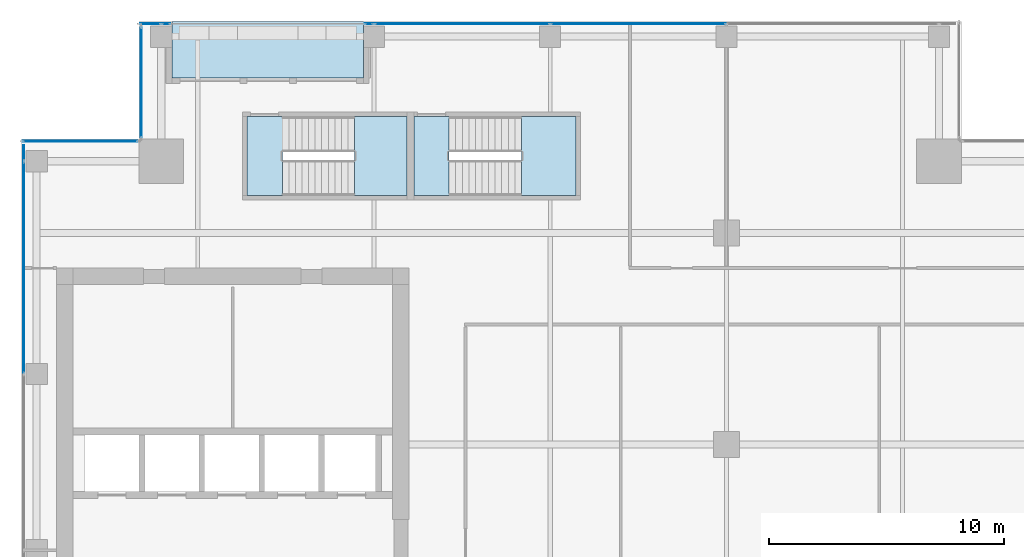
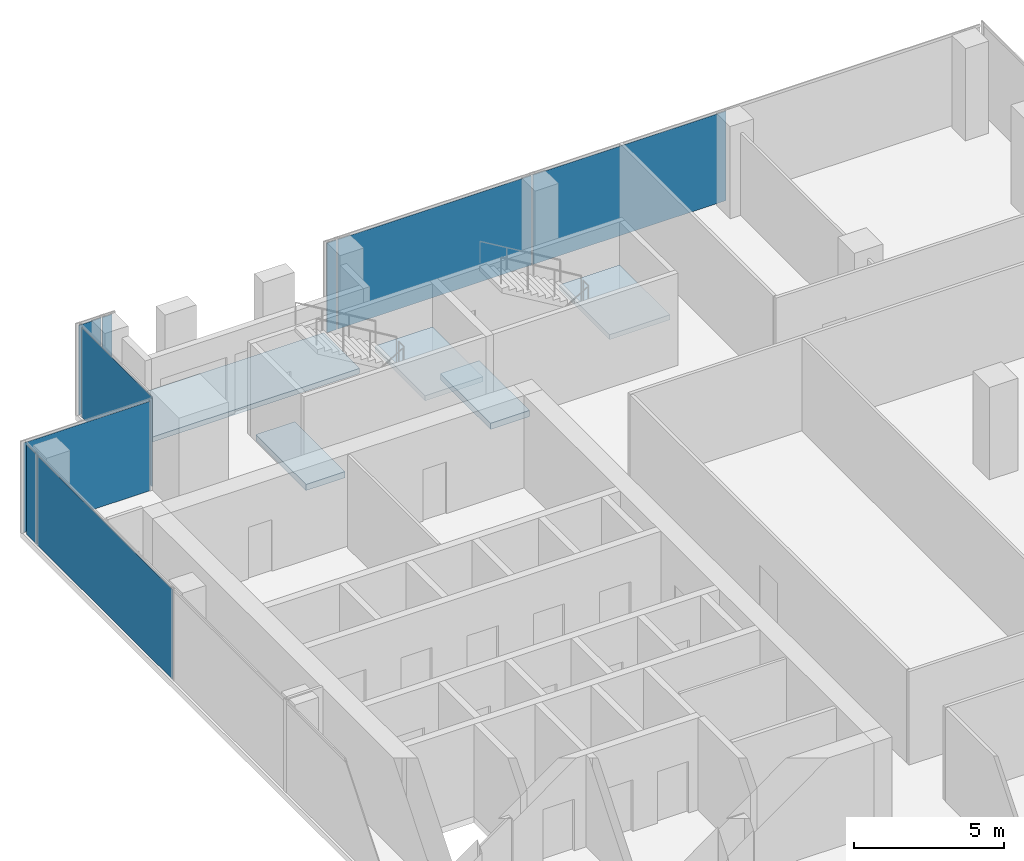
# One storey, part 29 of 36: 9 plates, 5 slabs, 7 elements without a shape of their own.
"""IFC4 building model written with IfcOpenShell, lengths in metres."""

from ifc_helpers import new_model, si_unit, direction, frame, origin, origin_2d, place, context, subcontext, project, spatial, polyline, rectangle, outline, extrude, source, transform, mapped, material, layer, layer_set, type_object, element, aggregate, save


model = new_model("IFC4")

# Units and contexts
model_context = context("Model", 3, precision=1e-05, world=origin(), true_north=direction((0.0, 1.0)))
body_context = subcontext(model_context, "Body", "Model", "MODEL_VIEW")
ifc_project = project(units=[si_unit("LENGTHUNIT", "METRE"), si_unit("AREAUNIT", "SQUARE_METRE"), si_unit("VOLUMEUNIT", "CUBIC_METRE"), si_unit("PLANEANGLEUNIT", "RADIAN"), si_unit("MASSUNIT", "GRAM", prefix="KILO")], contexts=[model_context])

# Site, building, storey
site_placement = place(None, origin())
site = spatial("IfcSite", under=ifc_project, at=site_placement, CompositionType="ELEMENT")
building_placement = place(site_placement, origin())
building = spatial("IfcBuilding", under=site, at=building_placement, Name="Khomas Fold Tower", CompositionType="ELEMENT")
storey_placement = place(building_placement, frame((0.0, 0.0, 230.199951171875)))
storey = spatial("IfcBuildingStorey", under=building, at=storey_placement, Name="L51", CompositionType="ELEMENT", Elevation=230.199951171875)

# Curtain wall, plate
ifc_material_1 = material(Name="Aluminium framed double glazing", Category="aluminium")
curtain_wall_type = type_object("IfcCurtainWallType", Name="SK-Unitised clear-glass wall, office floors CW2", PredefinedType="NOTDEFINED", material=ifc_material_1)
curtain_wall_1_placement = place(storey_placement, origin())
curtain_wall_1 = element("IfcCurtainWall", 1, at=curtain_wall_1_placement, inside=storey, type_object=curtain_wall_type, Name="CW2 run L51 09-0", PredefinedType="NOTDEFINED")
ifc_material_2 = material(Name="Clear double glazed unit")
ifc_layer_1 = layer(ifc_material_2, 0.030029296875)
ifc_layer_set_1 = layer_set([ifc_layer_1], Name="Clear double glazed unit")
plate_type = type_object("IfcPlateType", Name="SK-Unitised clear-glass wall, office floors glass panel CW2-P", PredefinedType="CURTAIN_PANEL", material=ifc_layer_set_1)
shared_shape_1 = source(origin(), body_context, "Body", "SweptSolid", [
    extrude(rectangle(XDim=0.659912109375, YDim=0.030029296875, at=origin_2d()), origin(), (0.0, 0.0, 1.0), 3.639892578125),
])
plate_1_placement = place(storey_placement, frame((4.60009765625, 43.909912109375, 0.0), z_axis=(0.0, 0.0, 1.0), x_axis=(0.0, -1.0, 0.0)))
plate_1 = element("IfcPlate", 2, at=plate_1_placement, type_object=plate_type, Name="CW2 glass panel 1", PredefinedType="CURTAIN_PANEL", context=body_context, shape_type="MappedRepresentation", body=[
    mapped(shared_shape_1, transform((0.0, 0.0, 0.0))),
])

# Curtain wall, plates
curtain_wall_2_placement = place(storey_placement, origin())
curtain_wall_2 = element("IfcCurtainWall", 3, at=curtain_wall_2_placement, inside=storey, type_object=curtain_wall_type, Name="CW2 run L51 06-0", PredefinedType="NOTDEFINED")
shared_shape_2 = source(origin(), body_context, "Body", "SweptSolid", [
    extrude(rectangle(XDim=7.43994140625, YDim=0.030029296875, at=origin_2d()), origin(), (0.0, 0.0, 1.0), 3.639892578125),
])
plate_2_placement = place(storey_placement, frame((30.75, 49.39990234375, 0.0), z_axis=(0.0, 0.0, 1.0), x_axis=(-1.0, 0.0, 0.0)))
plate_2 = element("IfcPlate", 4, at=plate_2_placement, type_object=plate_type, Name="CW2 glass panel 3", PredefinedType="CURTAIN_PANEL", context=body_context, shape_type="MappedRepresentation", body=[
    mapped(shared_shape_2, transform((0.0, 0.0, 0.0))),
])
plate_3_placement = place(storey_placement, frame((23.25, 49.39990234375, 0.0), z_axis=(0.0, 0.0, 1.0), x_axis=(-1.0, 0.0, 0.0)))
plate_3 = element("IfcPlate", 5, at=plate_3_placement, type_object=plate_type, Name="CW2 glass panel 4", PredefinedType="CURTAIN_PANEL", context=body_context, shape_type="MappedRepresentation", body=[
    mapped(shared_shape_2, transform((0.0, 0.0, 0.0))),
])

# Curtain wall, plate
curtain_wall_3_placement = place(storey_placement, origin())
curtain_wall_3 = element("IfcCurtainWall", 6, at=curtain_wall_3_placement, inside=storey, type_object=curtain_wall_type, Name="CW2 run L51 06-1", PredefinedType="NOTDEFINED")
shared_shape_3 = source(origin(), body_context, "Body", "SweptSolid", [
    extrude(rectangle(XDim=0.860107421875, YDim=0.030029296875, at=origin_2d()), origin(), (0.0, 0.0, 1.0), 3.639892578125),
])
plate_4_placement = place(storey_placement, frame((9.989990234375, 49.39990234375, 0.0), z_axis=(0.0, 0.0, 1.0), x_axis=(-1.0, 0.0, 0.0)))
plate_4 = element("IfcPlate", 7, at=plate_4_placement, type_object=plate_type, Name="CW2 glass panel 2", PredefinedType="CURTAIN_PANEL", context=body_context, shape_type="MappedRepresentation", body=[
    mapped(shared_shape_3, transform((0.0, 0.0, 0.0))),
])

# Plate
shared_shape_4 = source(origin(), body_context, "Body", "SweptSolid", [
    extrude(rectangle(XDim=8.989990234375, YDim=0.030029296875, at=origin_2d()), origin(), (0.0, 0.0, 1.0), 3.639892578125),
])
plate_5_placement = place(storey_placement, frame((4.60009765625, 39.02490234375, 0.0), z_axis=(0.0, 0.0, 1.0), x_axis=(0.0, -1.0, 0.0)))
plate_5 = element("IfcPlate", 8, at=plate_5_placement, type_object=plate_type, Name="CW2 glass panel 2", PredefinedType="CURTAIN_PANEL", context=body_context, shape_type="MappedRepresentation", body=[
    mapped(shared_shape_4, transform((0.0, 0.0, 0.0))),
])

aggregate(curtain_wall_1, [plate_1, plate_5])

# Curtain wall, plate
curtain_wall_4_placement = place(storey_placement, origin())
curtain_wall_4 = element("IfcCurtainWall", 9, at=curtain_wall_4_placement, inside=storey, type_object=curtain_wall_type, Name="CW2 corner return L51 07", PredefinedType="NOTDEFINED")
shared_shape_5 = source(origin(), body_context, "Body", "SweptSolid", [
    extrude(rectangle(XDim=4.679931640625, YDim=0.030029296875, at=origin_2d()), origin(), (0.0, 0.0, 1.0), 3.639892578125),
])
plate_6_placement = place(storey_placement, frame((9.60009765625, 46.89990234375, 0.0), z_axis=(0.0, 0.0, 1.0), x_axis=(0.0, -1.0, 0.0)))
plate_6 = element("IfcPlate", 10, at=plate_6_placement, type_object=plate_type, Name="CW2 glass panel 1", PredefinedType="CURTAIN_PANEL", context=body_context, shape_type="MappedRepresentation", body=[
    mapped(shared_shape_5, transform((0.0, 0.0, 0.0))),
])
aggregate(curtain_wall_4, [plate_6])

curtain_wall_5_placement = place(storey_placement, origin())
curtain_wall_5 = element("IfcCurtainWall", 11, at=curtain_wall_5_placement, inside=storey, type_object=curtain_wall_type, Name="CW2 corner return L51 08", PredefinedType="NOTDEFINED")
shared_shape_6 = source(origin(), body_context, "Body", "SweptSolid", [
    extrude(rectangle(XDim=4.8798828125, YDim=0.030029296875, at=origin_2d()), origin(), (0.0, 0.0, 1.0), 3.639892578125),
])
plate_7_placement = place(storey_placement, frame((7.0, 44.39990234375, 0.0), z_axis=(0.0, 0.0, 1.0), x_axis=(-1.0, 0.0, 0.0)))
plate_7 = element("IfcPlate", 12, at=plate_7_placement, type_object=plate_type, Name="CW2 glass panel 1", PredefinedType="CURTAIN_PANEL", context=body_context, shape_type="MappedRepresentation", body=[
    mapped(shared_shape_6, transform((0.0, 0.0, 0.0))),
])
aggregate(curtain_wall_5, [plate_7])

# Plate
shared_shape_7 = source(origin(), body_context, "Body", "SweptSolid", [
    extrude(rectangle(XDim=0.360107421875, YDim=0.030029296875, at=origin_2d()), origin(), (0.0, 0.0, 1.0), 3.639892578125),
])
plate_8_placement = place(storey_placement, frame((19.2900390625, 49.39990234375, 0.0), z_axis=(0.0, 0.0, 1.0), x_axis=(-1.0, 0.0, 0.0)))
plate_8 = element("IfcPlate", 13, at=plate_8_placement, type_object=plate_type, Name="CW2 glass panel 5", PredefinedType="CURTAIN_PANEL", context=body_context, shape_type="MappedRepresentation", body=[
    mapped(shared_shape_7, transform((0.0, 0.0, 0.0))),
])

aggregate(curtain_wall_2, [plate_2, plate_3, plate_8])

plate_9_placement = place(storey_placement, frame((10.659912109375, 49.39990234375, 0.0), z_axis=(0.0, 0.0, 1.0), x_axis=(-1.0, 0.0, 0.0)))
plate_9 = element("IfcPlate", 14, at=plate_9_placement, type_object=plate_type, Name="CW2 glass panel 1", PredefinedType="CURTAIN_PANEL", context=body_context, shape_type="MappedRepresentation", body=[
    mapped(shared_shape_7, transform((0.0, 0.0, 0.0))),
])

aggregate(curtain_wall_3, [plate_9, plate_4])

# Slab
ifc_material_3 = material(Name="Concrete C40/50", Category="concrete")
ifc_layer_2 = layer(ifc_material_3, 0.205078125)
ifc_layer_set_2 = layer_set([ifc_layer_2], Name="Concrete C40/50")
slab_type_1 = type_object("IfcSlabType", Name="BL-Balcony deck 205", PredefinedType="FLOOR", material=ifc_layer_set_2)
shared_shape_8 = source(origin(), body_context, "Body", "SweptSolid", [
    extrude(outline(polyline([(10.89990234375, 47.10009765625), (19.050048828125, 47.10009765625), (19.050048828125, 49.5), (10.89990234375, 49.5), (10.89990234375, 47.10009765625)])), origin(), (0.0, 0.0, 1.0), 0.205078125),
])
slab_1_placement = place(storey_placement, frame((0.0, 0.0, -0.25)))
element("IfcSlab", 15, at=slab_1_placement, inside=storey, type_object=slab_type_1, Name="Balcony deck BAL-L51-N1", PredefinedType="FLOOR", context=body_context, shape_type="MappedRepresentation", body=[
    mapped(shared_shape_8, transform((0.0, 0.0, 0.0))),
])

# Stair, slab
ifc_material_4 = material(Name="Concrete C40/50", Category="concrete")
stair_type_1 = type_object("IfcStairType", Name="Stair ST1", PredefinedType="HALF_TURN_STAIR", material=ifc_material_4)
stair_1_placement = place(storey_placement, origin())
stair_1 = element("IfcStair", 16, at=stair_1_placement, inside=storey, type_object=stair_type_1, Name="L51 ST1", PredefinedType="HALF_TURN_STAIR")
ifc_material_5 = material(Name="Concrete C40/50", Category="concrete")
ifc_layer_3 = layer(ifc_material_5, 0.199951171875)
ifc_layer_set_3 = layer_set([ifc_layer_3], Name="Concrete C40/50")
slab_type_2 = type_object("IfcSlabType", Name="Stair landing 200", PredefinedType="LANDING", material=ifc_layer_set_3)
shared_shape_9 = source(origin(), body_context, "Body", "SweptSolid", [
    extrude(outline(polyline([(18.679931640625, 42.10009765625), (20.89990234375, 42.10009765625), (20.89990234375, 45.449951171875), (18.679931640625, 45.449951171875), (18.679931640625, 42.10009765625)])), origin(), (0.0, 0.0, 1.0), 0.199951171875),
])
slab_2_placement = place(storey_placement, frame((0.0, 0.0, 1.800048828125)))
slab_2 = element("IfcSlab", 17, at=slab_2_placement, type_object=slab_type_2, Name="ST1 landing 1", PredefinedType="LANDING", context=body_context, shape_type="MappedRepresentation", body=[
    mapped(shared_shape_9, transform((0.0, 0.0, 0.0))),
])
aggregate(stair_1, [slab_2])

# Slab
ifc_material_6 = material(Name="Concrete C40/50", Category="concrete")
ifc_layer_4 = layer(ifc_material_6, 0.25)
ifc_layer_set_4 = layer_set([ifc_layer_4], Name="Concrete C40/50")
slab_type_3 = type_object("IfcSlabType", Name="Stair floor landing 250", PredefinedType="LANDING", material=ifc_layer_set_4)
shared_shape_10 = source(origin(), body_context, "Body", "SweptSolid", [
    extrude(outline(polyline([(15.60009765625, 42.10009765625), (14.10009765625, 42.10009765625), (14.10009765625, 45.449951171875), (15.60009765625, 45.449951171875), (15.60009765625, 42.10009765625)])), origin(), (0.0, 0.0, 1.0), 0.25),
])
slab_3_placement = place(storey_placement, frame((0.0, 0.0, -0.25)))
element("IfcSlab", 18, at=slab_3_placement, inside=storey, type_object=slab_type_3, Name="ST1 floor landing", PredefinedType="LANDING", context=body_context, shape_type="MappedRepresentation", body=[
    mapped(shared_shape_10, transform((0.0, 0.0, 0.0))),
])

# Stair, slab
ifc_material_7 = material(Name="Concrete C40/50", Category="concrete")
stair_type_2 = type_object("IfcStairType", Name="Stair ST3", PredefinedType="HALF_TURN_STAIR", material=ifc_material_7)
stair_2_placement = place(storey_placement, origin())
stair_2 = element("IfcStair", 19, at=stair_2_placement, inside=storey, type_object=stair_type_2, Name="L51 ST3", PredefinedType="HALF_TURN_STAIR")
shared_shape_11 = source(origin(), body_context, "Body", "SweptSolid", [
    extrude(outline(polyline([(25.780029296875, 42.10009765625), (28.10009765625, 42.10009765625), (28.10009765625, 45.449951171875), (25.780029296875, 45.449951171875), (25.780029296875, 42.10009765625)])), origin(), (0.0, 0.0, 1.0), 0.199951171875),
])
slab_4_placement = place(storey_placement, frame((0.0, 0.0, 1.800048828125)))
slab_4 = element("IfcSlab", 20, at=slab_4_placement, type_object=slab_type_2, Name="ST3 landing 1", PredefinedType="LANDING", context=body_context, shape_type="MappedRepresentation", body=[
    mapped(shared_shape_11, transform((0.0, 0.0, 0.0))),
])
aggregate(stair_2, [slab_4])

# Slab
shared_shape_12 = source(origin(), body_context, "Body", "SweptSolid", [
    extrude(outline(polyline([(22.699951171875, 42.10009765625), (21.199951171875, 42.10009765625), (21.199951171875, 45.449951171875), (22.699951171875, 45.449951171875), (22.699951171875, 42.10009765625)])), origin(), (0.0, 0.0, 1.0), 0.25),
])
slab_5_placement = place(storey_placement, frame((0.0, 0.0, -0.25)))
element("IfcSlab", 21, at=slab_5_placement, inside=storey, type_object=slab_type_3, Name="ST3 floor landing", PredefinedType="LANDING", context=body_context, shape_type="MappedRepresentation", body=[
    mapped(shared_shape_12, transform((0.0, 0.0, 0.0))),
])

save(model, "model.ifc")
